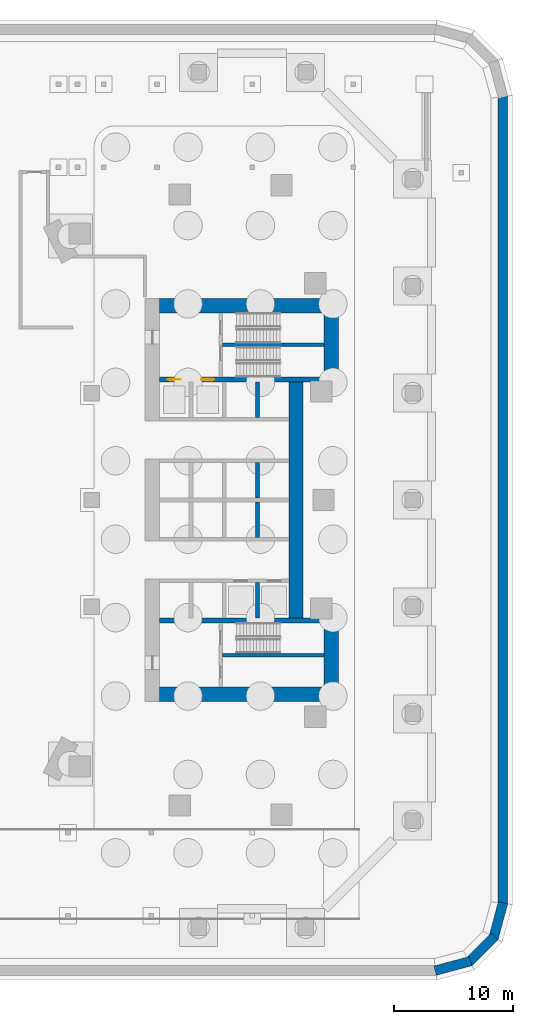
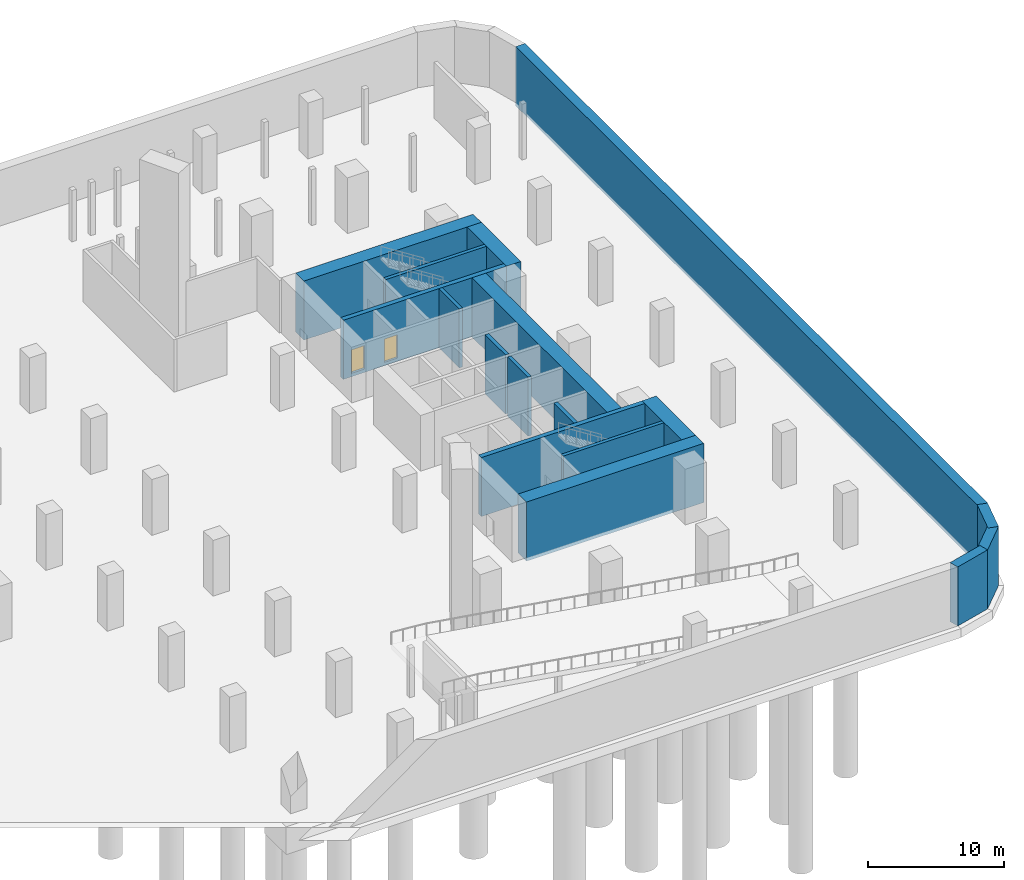
# One storey, part 6 of 11: 17 walls, 2 doors, 2 openings.
"""IFC4 building model written with IfcOpenShell, lengths in metres."""

from ifc_helpers import new_model, si_unit, direction, frame, frame_2d, origin, place, context, subcontext, project, spatial, rectangle, extrude, material, layer, layer_set, type_object, element, fill, save


model = new_model("IFC4")

# Units and contexts
model_context = context("Model", 3, precision=1e-05, world=origin(), true_north=direction((0.0, 1.0)))
body_context = subcontext(model_context, "Body", "Model", "MODEL_VIEW")
ifc_project = project(units=[si_unit("LENGTHUNIT", "METRE"), si_unit("AREAUNIT", "SQUARE_METRE"), si_unit("VOLUMEUNIT", "CUBIC_METRE"), si_unit("PLANEANGLEUNIT", "RADIAN"), si_unit("MASSUNIT", "GRAM", prefix="KILO")], contexts=[model_context])

# Site, building, storey
site_placement = place(None, origin())
site = spatial("IfcSite", under=ifc_project, at=site_placement, CompositionType="ELEMENT")
building_placement = place(site_placement, origin())
building = spatial("IfcBuilding", under=site, at=building_placement, Name="Ostrand Prow Hotel Tower", CompositionType="ELEMENT")
storey_placement = place(building_placement, frame((0.0, 0.0, -10.0)))
storey = spatial("IfcBuildingStorey", under=building, at=storey_placement, Name="B2", CompositionType="ELEMENT", Elevation=-10.0)

# Walls
ifc_material_1 = material(Name="Concrete C80/95", Category="concrete")
ifc_layer_1 = layer(ifc_material_1, 1.199951171875)
ifc_layer_set_1 = layer_set([ifc_layer_1], Name="Concrete C80/95")
wall_type_1 = type_object("IfcWallType", Name="Core wall 1200 C80/95", PredefinedType="SHEAR", material=ifc_layer_set_1)
for number, where, z_axis, x_axis, name in (
    (1, (50.699951171875, 16.35009765625, -0.300048828125), (0.0, 0.0, 1.0), (1.0, 0.0, 0.0), "Core wall CW-N"),
    (2, (50.699951171875, -16.35009765625, -0.300048828125), (0.0, 0.0, 1.0), (1.0, 0.0, 0.0), "Core wall CW-S"),
):
    element("IfcWall", number, at=place(storey_placement, frame(where, z_axis=z_axis, x_axis=x_axis)), inside=storey, type_object=wall_type_1, Name=name, PredefinedType="SHEAR", context=body_context, shape_type="SweptSolid", body=[
        extrude(rectangle(XDim=15.06005859375, YDim=1.199951171875, at=frame_2d((7.530029296875, 0.0))), origin(), (0.0, 0.0, 1.0), 5.300048828125),
    ])
for number, where, z_axis, x_axis, name in (
    (3, (65.159912109375, 9.949951171875, -0.300048828125), (0.0, 0.0, 1.0), (0.0, 1.0, 0.0), "Core wall CW-E-N"),
    (4, (65.159912109375, -15.75, -0.300048828125), (0.0, 0.0, 1.0), (0.0, 1.0, 0.0), "Core wall CW-E-S"),
):
    element("IfcWall", number, at=place(storey_placement, frame(where, z_axis=z_axis, x_axis=x_axis)), inside=storey, type_object=wall_type_1, Name=name, PredefinedType="SHEAR", context=body_context, shape_type="SweptSolid", body=[
        extrude(rectangle(XDim=5.800048828125, YDim=1.199951171875, at=frame_2d((2.89990234375, 0.0))), origin(), (0.0, 0.0, 1.0), 5.300048828125),
    ])
wall_1_placement = place(storey_placement, frame((62.199951171875, -9.949951171875, -0.300048828125), z_axis=(0.0, 0.0, 1.0), x_axis=(0.0, 1.0, 0.0)))
element("IfcWall", 5, at=wall_1_placement, inside=storey, type_object=wall_type_1, Name="Core wall CW-E-C", PredefinedType="SHEAR", context=body_context, shape_type="SweptSolid", body=[
    extrude(rectangle(XDim=19.89990234375, YDim=1.199951171875, at=frame_2d((9.949951171875, 0.0))), origin(), (0.0, 0.0, 1.0), 5.300048828125),
])
ifc_material_2 = material(Name="Concrete C80/95", Category="concrete")
ifc_layer_2 = layer(ifc_material_2, 0.300048828125)
ifc_layer_set_2 = layer_set([ifc_layer_2], Name="Concrete C80/95")
wall_type_2 = type_object("IfcWallType", Name="Core wall 300 C80/95", PredefinedType="SHEAR", material=ifc_layer_set_2)
for number, where, z_axis, x_axis, name in (
    (6, (58.949951171875, 0.14990234375, -0.300048828125), (0.0, 0.0, 1.0), (0.0, 1.0, 0.0), "Core wall PW-R3-NB"),
    (7, (58.949951171875, 6.949951171875, -0.300048828125), (0.0, 0.0, 1.0), (0.0, 1.0, 0.0), "Core wall PW-R3-NA"),
    (8, (58.949951171875, -3.14990234375, -0.300048828125), (0.0, 0.0, 1.0), (0.0, 1.0, 0.0), "Core wall PW-R3-SB"),
    (9, (58.949951171875, -9.949951171875, -0.300048828125), (0.0, 0.0, 1.0), (0.0, 1.0, 0.0), "Core wall PW-R3-SA"),
):
    element("IfcWall", number, at=place(storey_placement, frame(where, z_axis=z_axis, x_axis=x_axis)), inside=storey, type_object=wall_type_2, Name=name, PredefinedType="SHEAR", context=body_context, shape_type="SweptSolid", body=[
        extrude(rectangle(XDim=3.0, YDim=0.300048828125, at=frame_2d((1.5, 0.0))), origin(), (0.0, 0.0, 1.0), 5.300048828125),
    ])
for number, where, z_axis, x_axis, name in (
    (10, (56.0, 13.050048828125, -0.300048828125), (0.0, 0.0, 1.0), (1.0, 0.0, 0.0), "Core wall PW-ST13"),
    (11, (56.0, -13.050048828125, -0.300048828125), (0.0, 0.0, 1.0), (1.0, 0.0, 0.0), "Core wall PW-ST2R"),
):
    element("IfcWall", number, at=place(storey_placement, frame(where, z_axis=z_axis, x_axis=x_axis)), inside=storey, type_object=wall_type_2, Name=name, PredefinedType="SHEAR", context=body_context, shape_type="SweptSolid", body=[
        extrude(rectangle(XDim=8.56005859375, YDim=0.300048828125, at=frame_2d((4.280029296875, 0.0))), origin(), (0.0, 0.0, 1.0), 5.300048828125),
    ])

# Wall, openings, doors
ifc_material_3 = material(Name="Concrete C80/95", Category="concrete")
ifc_layer_3 = layer(ifc_material_3, 0.39990234375)
ifc_layer_set_3 = layer_set([ifc_layer_3], Name="Concrete C80/95")
wall_type_3 = type_object("IfcWallType", Name="Core wall 400 C80/95", PredefinedType="SHEAR", material=ifc_layer_set_3)
wall_2_placement = place(storey_placement, frame((50.699951171875, 10.14990234375, -0.300048828125), z_axis=(0.0, 0.0, 1.0), x_axis=(1.0, 0.0, 0.0)))
wall_2 = element("IfcWall", 12, at=wall_2_placement, inside=storey, type_object=wall_type_3, Name="Core wall PW-BN", PredefinedType="SHEAR", context=body_context, shape_type="SweptSolid", body=[
    extrude(rectangle(XDim=13.860107421875, YDim=0.39990234375, at=frame_2d((6.93017578125, 0.0))), origin(), (0.0, 0.0, 1.0), 5.300048828125),
])
opening_1_placement = place(wall_2_placement, frame((0.699951171875, 0.0, 0.300048828125)))
opening_1 = element("IfcOpeningElement", 13, at=opening_1_placement, cuts=wall_2, Name="Opening LD", PredefinedType="OPENING", context=body_context, shape_type="SweptSolid", body=[
    extrude(rectangle(XDim=1.10009765625, YDim=2.10009765625, at=frame_2d((0.550048828125, 1.050048828125))), frame((0.0, 0.2099609375, 0.0), z_axis=(0.0, -1.0, 0.0), x_axis=(1.0, 0.0, 0.0)), (0.0, 0.0, 1.0), 0.419921875),
])
opening_2_placement = place(wall_2_placement, frame((3.5, 0.0, 0.300048828125)))
opening_2 = element("IfcOpeningElement", 14, at=opening_2_placement, cuts=wall_2, Name="Opening LD", PredefinedType="OPENING", context=body_context, shape_type="SweptSolid", body=[
    extrude(rectangle(XDim=1.10009765625, YDim=2.10009765625, at=frame_2d((0.550048828125, 1.050048828125))), frame((0.0, 0.2099609375, 0.0), z_axis=(0.0, -1.0, 0.0), x_axis=(1.0, 0.0, 0.0)), (0.0, 0.0, 1.0), 0.419921875),
])
ifc_material_4 = material(Name="Stainless steel door", Category="steel")
door_type = type_object("IfcDoorType", Name="Lift landing door 1100", OperationType="DOUBLE_DOOR_SLIDING", PredefinedType="DOOR", material=ifc_material_4)
door_1_placement = place(opening_1_placement, origin())
door_1 = element("IfcDoor", 15, at=door_1_placement, inside=storey, type_object=door_type, Name="LIFT LANDING DOOR", OperationType="DOUBLE_DOOR_SLIDING", OverallHeight=2.10009765625, OverallWidth=1.10009765625, PredefinedType="DOOR", context=body_context, shape_type="SweptSolid", body=[
    extrude(rectangle(XDim=1.10009765625, YDim=2.10009765625, at=frame_2d((0.550048828125, 1.050048828125))), frame((0.0, 0.02490234375, 0.0), z_axis=(0.0, -1.0, 0.0), x_axis=(1.0, 0.0, 0.0)), (0.0, 0.0, 1.0), 0.050048828125),
])
fill(opening_1, door_1)
door_2_placement = place(opening_2_placement, origin())
door_2 = element("IfcDoor", 16, at=door_2_placement, inside=storey, type_object=door_type, Name="LIFT LANDING DOOR", OperationType="DOUBLE_DOOR_SLIDING", OverallHeight=2.10009765625, OverallWidth=1.10009765625, PredefinedType="DOOR", context=body_context, shape_type="SweptSolid", body=[
    extrude(rectangle(XDim=1.10009765625, YDim=2.10009765625, at=frame_2d((0.550048828125, 1.050048828125))), frame((0.0, 0.02490234375, 0.0), z_axis=(0.0, -1.0, 0.0), x_axis=(1.0, 0.0, 0.0)), (0.0, 0.0, 1.0), 0.050048828125),
])
fill(opening_2, door_2)

# Walls
wall_3_placement = place(storey_placement, frame((50.699951171875, -10.14990234375, -0.300048828125), z_axis=(0.0, 0.0, 1.0), x_axis=(1.0, 0.0, 0.0)))
element("IfcWall", 17, at=wall_3_placement, inside=storey, type_object=wall_type_3, Name="Core wall PW-BS", PredefinedType="SHEAR", context=body_context, shape_type="SweptSolid", body=[
    extrude(rectangle(XDim=13.860107421875, YDim=0.39990234375, at=frame_2d((6.93017578125, 0.0))), origin(), (0.0, 0.0, 1.0), 5.300048828125),
])
ifc_material_5 = material(Name="Concrete C40/50", Category="concrete")
ifc_layer_4 = layer(ifc_material_5, 0.800048828125)
ifc_layer_set_4 = layer_set([ifc_layer_4], Name="Concrete C40/50")
wall_type_4 = type_object("IfcWallType", Name="Retaining wall 800 C40/50", PredefinedType="STANDARD", material=ifc_layer_set_4)
for number, where, z_axis, x_axis, name in (
    (18, (73.896484375, -39.613525390625, -0.300048828125), (0.0, 0.0, 1.0), (0.965936824201, 0.258777996848, 0.0), "Retaining wall B2-01"),
    (19, (76.71728515625, -38.913330078125, -0.300048828125), (0.0, 0.0, 1.0), (0.707106781187, 0.707106781187, 0.0), "Retaining wall B2-02"),
    (20, (78.809814453125, -36.896484375, -0.300048828125), (0.0, 0.0, 1.0), (0.258777996848, 0.965936824201, 0.0), "Retaining wall B2-03"),
):
    element("IfcWall", number, at=place(storey_placement, frame(where, z_axis=z_axis, x_axis=x_axis)), inside=storey, type_object=wall_type_4, Name=name, PredefinedType="STANDARD", context=body_context, shape_type="SweptSolid", body=[
        extrude(rectangle(XDim=3.105712890625, YDim=0.800048828125, at=frame_2d((1.552734375, 0.0))), origin(), (0.0, 0.0, 1.0), 5.300048828125),
    ])
wall_4_placement = place(storey_placement, frame((79.60009765625, -34.0, -0.300048828125), z_axis=(0.0, 0.0, 1.0), x_axis=(0.0, 1.0, 0.0)))
element("IfcWall", 21, at=wall_4_placement, inside=storey, type_object=wall_type_4, Name="Retaining wall B2-04", PredefinedType="STANDARD", context=body_context, shape_type="SweptSolid", body=[
    extrude(rectangle(XDim=68.0, YDim=0.800048828125, at=frame_2d((34.0, 0.0))), origin(), (0.0, 0.0, 1.0), 5.300048828125),
])

save(model, "model.ifc")
